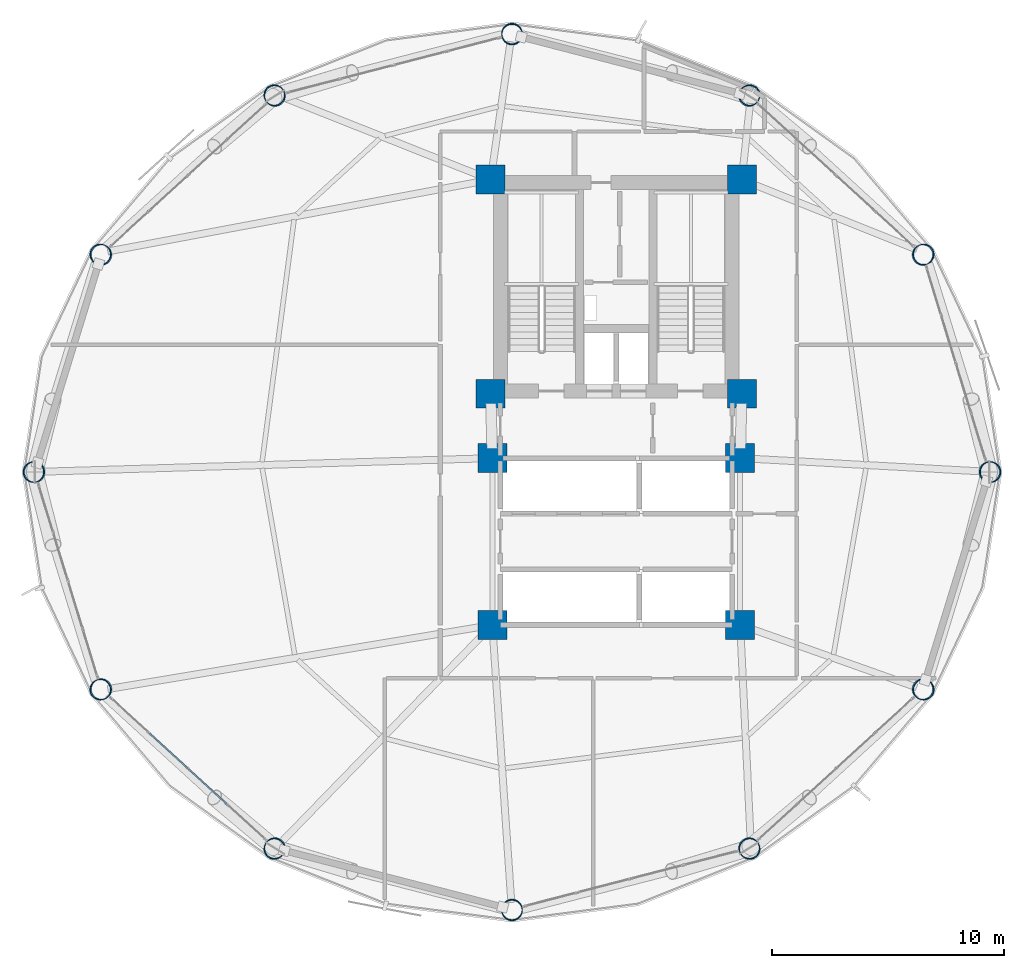
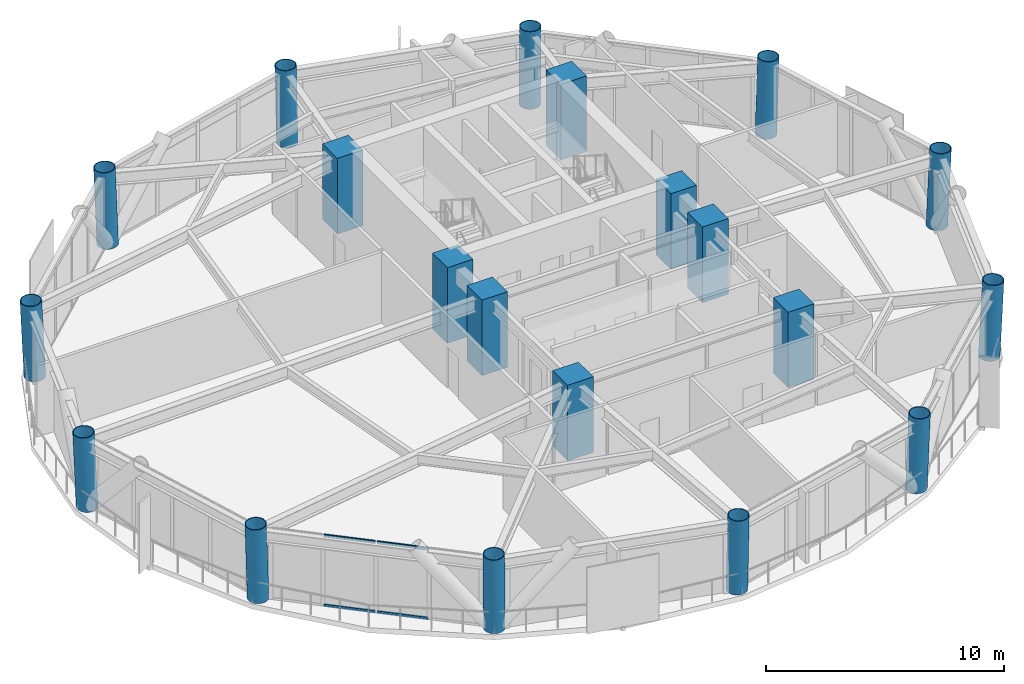
# One storey, part 1 of 25: 20 columns, 4 members, 1 element without a shape of its own.
"""IFC4 building model written with IfcOpenShell, lengths in metres."""

from ifc_helpers import new_model, si_unit, direction, frame, origin, origin_2d, place, context, subcontext, project, spatial, rectangle, hollow_rectangle, hollow_circle, extrude, material, layer, layer_set, material_profile, profile_set, type_object, element, aggregate, save


model = new_model("IFC4")

# Units and contexts
model_context = context("Model", 3, precision=1e-05, world=origin(), true_north=direction((0.0, 1.0)))
body_context = subcontext(model_context, "Body", "Model", "MODEL_VIEW")
ifc_project = project(units=[si_unit("LENGTHUNIT", "METRE"), si_unit("AREAUNIT", "SQUARE_METRE"), si_unit("VOLUMEUNIT", "CUBIC_METRE"), si_unit("PLANEANGLEUNIT", "RADIAN"), si_unit("MASSUNIT", "GRAM", prefix="KILO")], contexts=[model_context])

# Site, building, storey
site_placement = place(None, origin())
site = spatial("IfcSite", under=ifc_project, at=site_placement, CompositionType="ELEMENT")
building_placement = place(site_placement, origin())
building = spatial("IfcBuilding", under=site, at=building_placement, Name="Varnakorn Sky Granary", CompositionType="ELEMENT")
storey_placement = place(building_placement, frame((0.0, 0.0, 39.300048828125)))
storey = spatial("IfcBuildingStorey", under=building, at=storey_placement, Name="L09", CompositionType="ELEMENT", Elevation=39.300048828125)

# Columns
ifc_material_1 = material(Name="Steel S460M", Category="steel")
ifc_material_profile_1 = material_profile(ifc_material_1, hollow_circle(Radius=0.45703125, WallThickness=0.031982421875, at=origin_2d()), Name="CHS 914x32")
ifc_profile_set_1 = profile_set([ifc_material_profile_1], Name="Steel S460M")
column_type_1 = type_object("IfcColumnType", Name="COL-DC-Z1", PredefinedType="COLUMN", material=ifc_profile_set_1)
column_1_placement = place(storey_placement, frame((19.10595703125, 0.0, 0.0), z_axis=(0.045379111193, 0.0, 0.998969837516), x_axis=(0.0, 1.0, 0.0)))
element("IfcColumn", 1, at=column_1_placement, inside=storey, type_object=column_type_1, Name="Drum Perimeter Column DC01 L09", PredefinedType="COLUMN", context=body_context, shape_type="SweptSolid", body=[
    extrude(hollow_circle(Radius=0.45703125, WallThickness=0.031982421875, at=origin_2d()), origin(), (0.0, 0.0, 1.0), 3.87890625),
])
column_2_placement = place(storey_placement, frame((16.228515625, 9.3740234375, 0.0), z_axis=(0.039278153326, 0.017498920873, 0.999075079481), x_axis=(-0.406953237239, 0.913448992939, 0.0)))
element("IfcColumn", 2, at=column_2_placement, inside=storey, type_object=column_type_1, Name="Drum Perimeter Column DC02 L09", PredefinedType="COLUMN", context=body_context, shape_type="SweptSolid", body=[
    extrude(hollow_circle(Radius=0.45703125, WallThickness=0.031982421875, at=origin_2d()), origin(), (0.0, 0.0, 1.0), 3.878662109375),
])
column_3_placement = place(storey_placement, frame((8.735595703125, 16.236083984375, 0.0), z_axis=(0.022665133029, 0.030409053481, 0.999280531788), x_axis=(-0.801789249334, 0.597606893913, 0.0)))
element("IfcColumn", 3, at=column_3_placement, inside=storey, type_object=column_type_1, Name="Drum Perimeter Column DC03 L09", PredefinedType="COLUMN", context=body_context, shape_type="SweptSolid", body=[
    extrude(hollow_circle(Radius=0.45703125, WallThickness=0.031982421875, at=origin_2d()), origin(), (0.0, 0.0, 1.0), 3.877685546875),
])
column_4_placement = place(storey_placement, frame((-1.5, 18.883056640625, 0.0), z_axis=(0.0, 0.03507165661, 0.999384800216), x_axis=(-1.0, 0.0, 0.0)))
element("IfcColumn", 4, at=column_4_placement, inside=storey, type_object=column_type_1, Name="Drum Perimeter Column DC04 L09", PredefinedType="COLUMN", context=body_context, shape_type="SweptSolid", body=[
    extrude(hollow_circle(Radius=0.45703125, WallThickness=0.031982421875, at=origin_2d()), origin(), (0.0, 0.0, 1.0), 3.87744140625),
])
column_5_placement = place(storey_placement, frame((-11.735595703125, 16.236083984375, 0.0), z_axis=(-0.022665133029, 0.030409053481, 0.999280531788), x_axis=(-0.801789249334, -0.597606893913, 0.0)))
element("IfcColumn", 5, at=column_5_placement, inside=storey, type_object=column_type_1, Name="Drum Perimeter Column DC05 L09", PredefinedType="COLUMN", context=body_context, shape_type="SweptSolid", body=[
    extrude(hollow_circle(Radius=0.45703125, WallThickness=0.031982421875, at=origin_2d()), origin(), (0.0, 0.0, 1.0), 3.877685546875),
])
column_6_placement = place(storey_placement, frame((-19.228515625, 9.3740234375, 0.0), z_axis=(-0.039278153326, 0.017498920873, 0.999075079481), x_axis=(-0.406953237239, -0.913448992939, 0.0)))
element("IfcColumn", 6, at=column_6_placement, inside=storey, type_object=column_type_1, Name="Drum Perimeter Column DC06 L09", PredefinedType="COLUMN", context=body_context, shape_type="SweptSolid", body=[
    extrude(hollow_circle(Radius=0.45703125, WallThickness=0.031982421875, at=origin_2d()), origin(), (0.0, 0.0, 1.0), 3.878662109375),
])
column_7_placement = place(storey_placement, frame((-22.10595703125, 0.0, 0.0), z_axis=(-0.045379111193, 0.0, 0.998969837516), x_axis=(0.0, -1.0, 0.0)))
element("IfcColumn", 7, at=column_7_placement, inside=storey, type_object=column_type_1, Name="Drum Perimeter Column DC07 L09", PredefinedType="COLUMN", context=body_context, shape_type="SweptSolid", body=[
    extrude(hollow_circle(Radius=0.45703125, WallThickness=0.031982421875, at=origin_2d()), origin(), (0.0, 0.0, 1.0), 3.87890625),
])
column_8_placement = place(storey_placement, frame((-19.228515625, -9.3740234375, 0.0), z_axis=(-0.039278153326, -0.017498920873, 0.999075079481), x_axis=(0.406953237239, -0.913448992939, 0.0)))
element("IfcColumn", 8, at=column_8_placement, inside=storey, type_object=column_type_1, Name="Drum Perimeter Column DC08 L09", PredefinedType="COLUMN", context=body_context, shape_type="SweptSolid", body=[
    extrude(hollow_circle(Radius=0.45703125, WallThickness=0.031982421875, at=origin_2d()), origin(), (0.0, 0.0, 1.0), 3.878662109375),
])
column_9_placement = place(storey_placement, frame((-11.735595703125, -16.236083984375, 0.0), z_axis=(-0.022665133029, -0.030409053481, 0.999280531788), x_axis=(0.801789249334, -0.597606893913, 0.0)))
element("IfcColumn", 9, at=column_9_placement, inside=storey, type_object=column_type_1, Name="Drum Perimeter Column DC09 L09", PredefinedType="COLUMN", context=body_context, shape_type="SweptSolid", body=[
    extrude(hollow_circle(Radius=0.45703125, WallThickness=0.031982421875, at=origin_2d()), origin(), (0.0, 0.0, 1.0), 3.877685546875),
])
column_10_placement = place(storey_placement, frame((-1.5, -18.883056640625, 0.0), z_axis=(0.0, -0.03507165661, 0.999384800216), x_axis=(1.0, 0.0, 0.0)))
element("IfcColumn", 10, at=column_10_placement, inside=storey, type_object=column_type_1, Name="Drum Perimeter Column DC10 L09", PredefinedType="COLUMN", context=body_context, shape_type="SweptSolid", body=[
    extrude(hollow_circle(Radius=0.45703125, WallThickness=0.031982421875, at=origin_2d()), origin(), (0.0, 0.0, 1.0), 3.87744140625),
])
column_11_placement = place(storey_placement, frame((8.735595703125, -16.236083984375, 0.0), z_axis=(0.022665133029, -0.030409053481, 0.999280531788), x_axis=(0.801789249334, 0.597606893913, 0.0)))
element("IfcColumn", 11, at=column_11_placement, inside=storey, type_object=column_type_1, Name="Drum Perimeter Column DC11 L09", PredefinedType="COLUMN", context=body_context, shape_type="SweptSolid", body=[
    extrude(hollow_circle(Radius=0.45703125, WallThickness=0.031982421875, at=origin_2d()), origin(), (0.0, 0.0, 1.0), 3.877685546875),
])
column_12_placement = place(storey_placement, frame((16.228515625, -9.3740234375, 0.0), z_axis=(0.039278153326, -0.017498920873, 0.999075079481), x_axis=(0.406953237239, 0.913448992939, 0.0)))
element("IfcColumn", 12, at=column_12_placement, inside=storey, type_object=column_type_1, Name="Drum Perimeter Column DC12 L09", PredefinedType="COLUMN", context=body_context, shape_type="SweptSolid", body=[
    extrude(hollow_circle(Radius=0.45703125, WallThickness=0.031982421875, at=origin_2d()), origin(), (0.0, 0.0, 1.0), 3.878662109375),
])
ifc_material_2 = material(Name="Concrete C60/75", Category="concrete")
ifc_material_profile_2 = material_profile(ifc_material_2, rectangle(XDim=1.25, YDim=1.25, at=origin_2d()), Name="RC 1250x1250")
ifc_profile_set_2 = profile_set([ifc_material_profile_2], Name="Concrete C60/75")
column_type_2 = type_object("IfcColumnType", Name="COL-MC-Z1", PredefinedType="COLUMN", material=ifc_profile_set_2)
for number, where, z_axis, x_axis, name in (
    (13, (-2.419921875, 12.6201171875, 0.0), (0.0, 0.0, 1.0), (1.0, 0.0, 0.0), "Backbone Mega-Column MC1 L09"),
    (14, (8.419921875, 12.6201171875, 0.0), (0.0, 0.0, 1.0), (1.0, 0.0, 0.0), "Backbone Mega-Column MC2 L09"),
    (15, (-2.419921875, 3.3798828125, 0.0), (0.0, 0.0, 1.0), (1.0, 0.0, 0.0), "Backbone Mega-Column MC3 L09"),
    (16, (8.419921875, 3.3798828125, 0.0), (0.0, 0.0, 1.0), (1.0, 0.0, 0.0), "Backbone Mega-Column MC4 L09"),
    (17, (-2.35009765625, 0.60009765625, 0.0), (0.0, 0.0, 1.0), (1.0, 0.0, 0.0), "Backbone Mega-Column MC5 L09"),
    (18, (8.35009765625, 0.60009765625, 0.0), (0.0, 0.0, 1.0), (1.0, 0.0, 0.0), "Backbone Mega-Column MC6 L09"),
    (19, (-2.35009765625, -6.60009765625, 0.0), (0.0, 0.0, 1.0), (1.0, 0.0, 0.0), "Backbone Mega-Column MC7 L09"),
    (20, (8.35009765625, -6.60009765625, 0.0), (0.0, 0.0, 1.0), (1.0, 0.0, 0.0), "Backbone Mega-Column MC8 L09"),
):
    element("IfcColumn", number, at=place(storey_placement, frame(where, z_axis=z_axis, x_axis=x_axis)), inside=storey, type_object=column_type_2, Name=name, PredefinedType="COLUMN", context=body_context, shape_type="SweptSolid", body=[
        extrude(rectangle(XDim=1.25, YDim=1.25, at=origin_2d()), origin(), (0.0, 0.0, 1.0), 3.875),
    ])

# Curtain wall, members
ifc_material_3 = material(Name="Anodised Bronze Aluminium Alloy 6063-T6", Category="aluminium")
ifc_layer = layer(ifc_material_3, 0.18994140625, Name="Anodised Bronze Aluminium Alloy 6063-T6")
ifc_layer_set = layer_set([ifc_layer], Name="Anodised Bronze Aluminium Alloy 6063-T6")
curtain_wall_type = type_object("IfcCurtainWallType", Name="CW-FRM-1", PredefinedType="USERDEFINED", material=ifc_layer_set)
curtain_wall_placement = place(storey_placement, origin())
curtain_wall = element("IfcCurtainWall", 21, at=curtain_wall_placement, inside=storey, type_object=curtain_wall_type, Name="Unitised Curtain Wall CW3 CW-L09-B08", ObjectType="CURTAIN WALL", PredefinedType="USERDEFINED")
ifc_material_profile_3 = material_profile(ifc_material_3, hollow_rectangle(XDim=0.070068359375, YDim=0.139892578125, WallThickness=0.00341796875, at=origin_2d()), Name="ALU TRAN 70x140")
ifc_profile_set_3 = profile_set([ifc_material_profile_3], Name="Anodised Bronze Aluminium Alloy 6063-T6")
member_type = type_object("IfcMemberType", Name="CW-FRM-1-TRAN", PredefinedType="USERDEFINED", material=ifc_profile_set_3)
member_1_placement = place(storey_placement, frame((-13.8251953125, -14.322509765625, 0.034912109375), z_axis=(-0.737447350023, 0.675404623869, 0.0), x_axis=(-0.675404623869, -0.737447350023, 0.0)))
member_1 = element("IfcMember", 22, at=member_1_placement, type_object=member_type, Name="CW3 transom 2.1", ObjectType="TRANSOM", PredefinedType="USERDEFINED", context=body_context, shape_type="SweptSolid", body=[
    extrude(hollow_rectangle(XDim=0.070068359375, YDim=0.139892578125, WallThickness=0.00341796875, at=origin_2d()), origin(), (0.0, 0.0, 1.0), 2.21142578125),
])
member_2_placement = place(storey_placement, frame((-13.8251953125, -14.322509765625, 3.60498046875), z_axis=(-0.737447350023, 0.675404623869, 0.0), x_axis=(-0.675404623869, -0.737447350023, 0.0)))
member_2 = element("IfcMember", 23, at=member_2_placement, type_object=member_type, Name="CW3 transom 2.2", ObjectType="TRANSOM", PredefinedType="USERDEFINED", context=body_context, shape_type="SweptSolid", body=[
    extrude(hollow_rectangle(XDim=0.070068359375, YDim=0.139892578125, WallThickness=0.00341796875, at=origin_2d()), origin(), (0.0, 0.0, 1.0), 2.21142578125),
])
member_3_placement = place(storey_placement, frame((-15.5078125, -12.781494140625, 0.034912109375), z_axis=(-0.737447350023, 0.675404623869, 0.0), x_axis=(-0.675404623869, -0.737447350023, 0.0)))
member_3 = element("IfcMember", 24, at=member_3_placement, type_object=member_type, Name="CW3 transom 3.1", ObjectType="TRANSOM", PredefinedType="USERDEFINED", context=body_context, shape_type="SweptSolid", body=[
    extrude(hollow_rectangle(XDim=0.070068359375, YDim=0.139892578125, WallThickness=0.00341796875, at=origin_2d()), origin(), (0.0, 0.0, 1.0), 2.21142578125),
])
member_4_placement = place(storey_placement, frame((-15.5078125, -12.781494140625, 3.60498046875), z_axis=(-0.737447350023, 0.675404623869, 0.0), x_axis=(-0.675404623869, -0.737447350023, 0.0)))
member_4 = element("IfcMember", 25, at=member_4_placement, type_object=member_type, Name="CW3 transom 3.2", ObjectType="TRANSOM", PredefinedType="USERDEFINED", context=body_context, shape_type="SweptSolid", body=[
    extrude(hollow_rectangle(XDim=0.070068359375, YDim=0.139892578125, WallThickness=0.00341796875, at=origin_2d()), origin(), (0.0, 0.0, 1.0), 2.21142578125),
])
aggregate(curtain_wall, [member_1, member_2, member_3, member_4])

save(model, "model.ifc")
